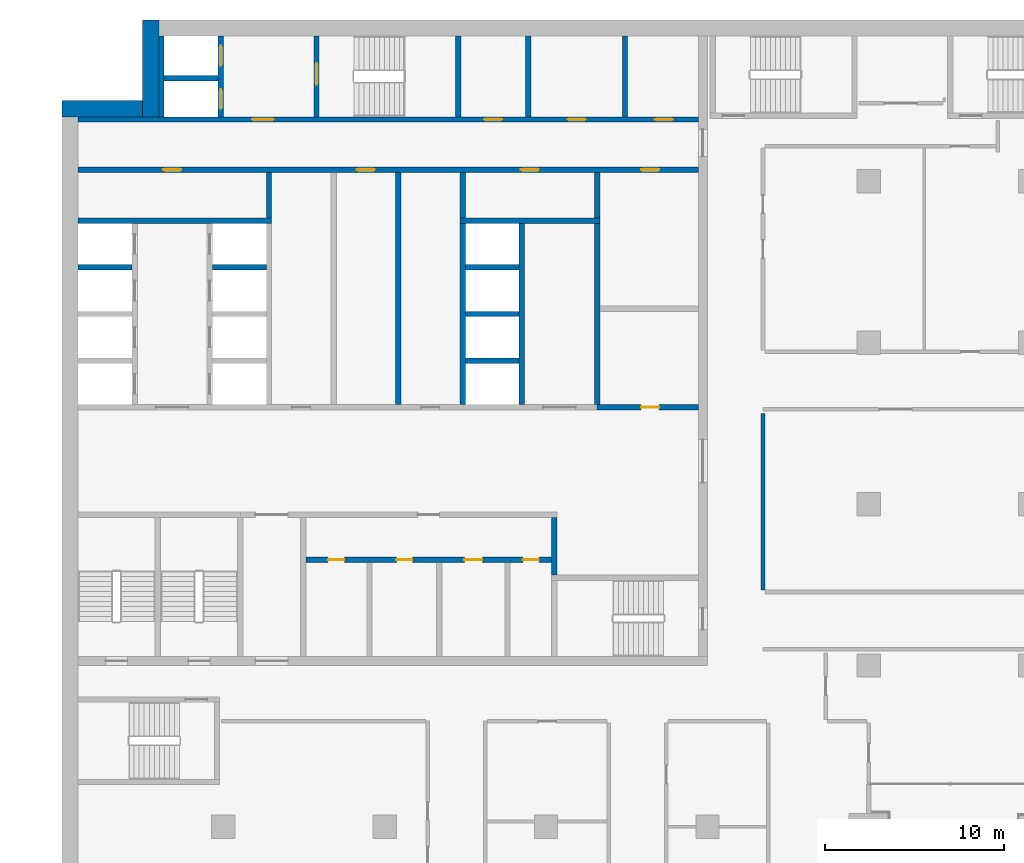
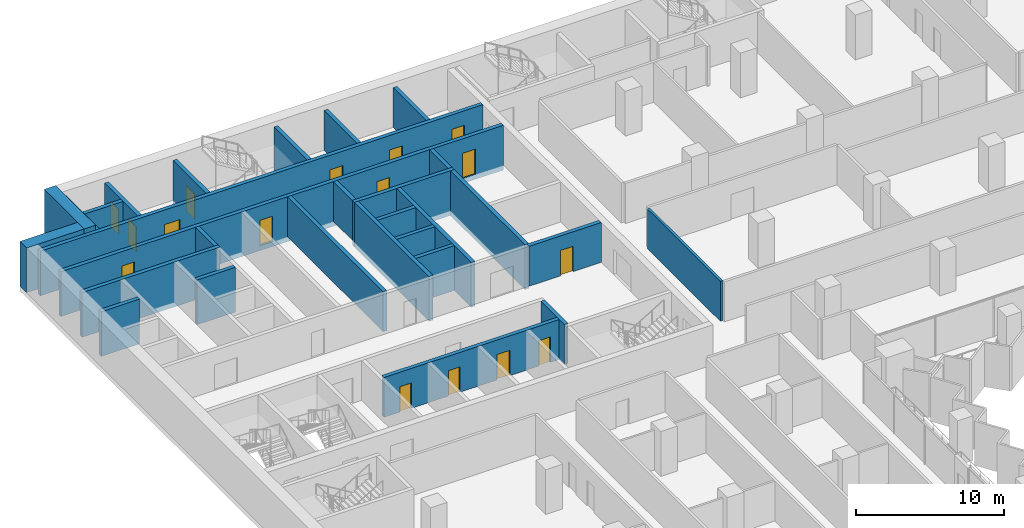
# One storey, part 13 of 23: 29 walls, 16 doors, 16 openings.
"""IFC4 building model written with IfcOpenShell, lengths in metres."""

from ifc_helpers import new_model, si_unit, direction, frame, frame_2d, origin, place, context, subcontext, project, spatial, rectangle, extrude, material, layer, layer_set, type_object, element, fill, save


model = new_model("IFC4")

# Units and contexts
model_context = context("Model", 3, precision=1e-05, world=origin(), true_north=direction((0.0, 1.0)))
body_context = subcontext(model_context, "Body", "Model", "MODEL_VIEW")
ifc_project = project(units=[si_unit("LENGTHUNIT", "METRE"), si_unit("AREAUNIT", "SQUARE_METRE"), si_unit("VOLUMEUNIT", "CUBIC_METRE"), si_unit("PLANEANGLEUNIT", "RADIAN"), si_unit("MASSUNIT", "GRAM", prefix="KILO")], contexts=[model_context])

# Site, building, storey
site_placement = place(None, origin())
site = spatial("IfcSite", under=ifc_project, at=site_placement, CompositionType="ELEMENT")
building_placement = place(site_placement, origin())
building = spatial("IfcBuilding", under=site, at=building_placement, Name="Hunhe Ridgeline Campus", CompositionType="ELEMENT")
storey_placement = place(building_placement, frame((0.0, 0.0, 121.800048828125)))
storey = spatial("IfcBuildingStorey", under=building, at=storey_placement, Name="L30", CompositionType="ELEMENT", Elevation=121.800048828125)

# Wall, openings, doors
ifc_material_1 = material(Name="Masonry concrete blockwork", Category="masonry")
ifc_layer_1 = layer(ifc_material_1, 0.300048828125)
ifc_layer_set_1 = layer_set([ifc_layer_1], Name="Core room partition 300 concrete block")
wall_type_1 = type_object("IfcWallType", Name="Core room partition 300 concrete block", PredefinedType="PARTITIONING", material=ifc_layer_set_1)
wall_1_placement = place(storey_placement, frame((13.60009765625, 68.89990234375, 0.0), z_axis=(0.0, 0.0, 1.0), x_axis=(1.0, 0.0, 0.0)))
wall_1 = element("IfcWall", 1, at=wall_1_placement, inside=storey, type_object=wall_type_1, Name="L30 core partition 9", PredefinedType="PARTITIONING", context=body_context, shape_type="SweptSolid", body=[
    extrude(rectangle(XDim=13.699951171875, YDim=0.300048828125, at=frame_2d((6.85009765625, 0.0))), origin(), (0.0, 0.0, 1.0), 3.300048828125),
])
opening_1_placement = place(wall_1_placement, frame((1.25, 0.0, 0.0)))
opening_1 = element("IfcOpeningElement", 2, at=opening_1_placement, cuts=wall_1, Name="Opening CD8", PredefinedType="OPENING", context=body_context, shape_type="SweptSolid", body=[
    extrude(rectangle(XDim=0.89990234375, YDim=2.10009765625, at=frame_2d((0.449951171875, 1.050048828125))), frame((0.0, 0.14990234375, 0.0), z_axis=(0.0, -1.0, 0.0), x_axis=(1.0, 0.0, 0.0)), (0.0, 0.0, 1.0), 0.300048828125),
])
opening_2_placement = place(wall_1_placement, frame((5.050048828125, 0.0, 0.0)))
opening_2 = element("IfcOpeningElement", 3, at=opening_2_placement, cuts=wall_1, Name="Opening CD9", PredefinedType="OPENING", context=body_context, shape_type="SweptSolid", body=[
    extrude(rectangle(XDim=0.89990234375, YDim=2.10009765625, at=frame_2d((0.449951171875, 1.050048828125))), frame((0.0, 0.14990234375, 0.0), z_axis=(0.0, -1.0, 0.0), x_axis=(1.0, 0.0, 0.0)), (0.0, 0.0, 1.0), 0.300048828125),
])
opening_3_placement = place(wall_1_placement, frame((8.85009765625, 0.0, 0.0)))
opening_3 = element("IfcOpeningElement", 4, at=opening_3_placement, cuts=wall_1, Name="Opening CD10", PredefinedType="OPENING", context=body_context, shape_type="SweptSolid", body=[
    extrude(rectangle(XDim=1.0, YDim=2.10009765625, at=frame_2d((0.5, 1.050048828125))), frame((0.0, 0.14990234375, 0.0), z_axis=(0.0, -1.0, 0.0), x_axis=(1.0, 0.0, 0.0)), (0.0, 0.0, 1.0), 0.300048828125),
])
opening_4_placement = place(wall_1_placement, frame((12.10009765625, 0.0, 0.0)))
opening_4 = element("IfcOpeningElement", 5, at=opening_4_placement, cuts=wall_1, Name="Opening CD11", PredefinedType="OPENING", context=body_context, shape_type="SweptSolid", body=[
    extrude(rectangle(XDim=0.89990234375, YDim=2.10009765625, at=frame_2d((0.449951171875, 1.050048828125))), frame((0.0, 0.14990234375, 0.0), z_axis=(0.0, -1.0, 0.0), x_axis=(1.0, 0.0, 0.0)), (0.0, 0.0, 1.0), 0.300048828125),
])
ifc_material_2 = material(Name="Solid core timber door leaf", Category="wood")
door_type_1 = type_object("IfcDoorType", Name="Timber door 1000x2100", OperationType="SINGLE_SWING_LEFT", PredefinedType="DOOR", material=ifc_material_2)
door_1_placement = place(opening_3_placement, frame((1.0, 0.0, 0.0), z_axis=(0.0, 0.0, 1.0), x_axis=(-1.0, 0.0, 0.0)))
door_1 = element("IfcDoor", 6, at=door_1_placement, inside=storey, type_object=door_type_1, Name="L30 door WC3", OperationType="SINGLE_SWING_RIGHT", OverallHeight=2.10009765625, OverallWidth=1.0, PredefinedType="DOOR", context=body_context, shape_type="SweptSolid", body=[
    extrude(rectangle(XDim=1.0, YDim=2.10009765625, at=frame_2d((0.5, 1.050048828125))), frame((0.0, 0.02490234375, 0.0), z_axis=(0.0, -1.0, 0.0), x_axis=(1.0, 0.0, 0.0)), (0.0, 0.0, 1.0), 0.050048828125),
])
fill(opening_3, door_1)
door_type_2 = type_object("IfcDoorType", Name="Timber door 900x2100", OperationType="SINGLE_SWING_LEFT", PredefinedType="DOOR", material=ifc_material_2)
door_2_placement = place(opening_1_placement, frame((0.89990234375, 0.0, 0.0), z_axis=(0.0, 0.0, 1.0), x_axis=(-1.0, 0.0, 0.0)))
door_2 = element("IfcDoor", 7, at=door_2_placement, inside=storey, type_object=door_type_2, Name="L30 door WC1", OperationType="SINGLE_SWING_RIGHT", OverallHeight=2.10009765625, OverallWidth=0.89990234375, PredefinedType="DOOR", context=body_context, shape_type="SweptSolid", body=[
    extrude(rectangle(XDim=0.89990234375, YDim=2.10009765625, at=frame_2d((0.449951171875, 1.050048828125))), frame((0.0, 0.02490234375, 0.0), z_axis=(0.0, -1.0, 0.0), x_axis=(1.0, 0.0, 0.0)), (0.0, 0.0, 1.0), 0.050048828125),
])
fill(opening_1, door_2)
door_3_placement = place(opening_2_placement, frame((0.89990234375, 0.0, 0.0), z_axis=(0.0, 0.0, 1.0), x_axis=(-1.0, 0.0, 0.0)))
door_3 = element("IfcDoor", 8, at=door_3_placement, inside=storey, type_object=door_type_2, Name="L30 door WC2", OperationType="SINGLE_SWING_LEFT", OverallHeight=2.10009765625, OverallWidth=0.89990234375, PredefinedType="DOOR", context=body_context, shape_type="SweptSolid", body=[
    extrude(rectangle(XDim=0.89990234375, YDim=2.10009765625, at=frame_2d((0.449951171875, 1.050048828125))), frame((0.0, 0.02490234375, 0.0), z_axis=(0.0, -1.0, 0.0), x_axis=(1.0, 0.0, 0.0)), (0.0, 0.0, 1.0), 0.050048828125),
])
fill(opening_2, door_3)
door_4_placement = place(opening_4_placement, frame((0.89990234375, 0.0, 0.0), z_axis=(0.0, 0.0, 1.0), x_axis=(-1.0, 0.0, 0.0)))
door_4 = element("IfcDoor", 9, at=door_4_placement, inside=storey, type_object=door_type_2, Name="L30 door WC4", OperationType="SINGLE_SWING_LEFT", OverallHeight=2.10009765625, OverallWidth=0.89990234375, PredefinedType="DOOR", context=body_context, shape_type="SweptSolid", body=[
    extrude(rectangle(XDim=0.89990234375, YDim=2.10009765625, at=frame_2d((0.449951171875, 1.050048828125))), frame((0.0, 0.02490234375, 0.0), z_axis=(0.0, -1.0, 0.0), x_axis=(1.0, 0.0, 0.0)), (0.0, 0.0, 1.0), 0.050048828125),
])
fill(opening_4, door_4)

# Wall, opening, door
wall_2_placement = place(storey_placement, frame((29.85009765625, 77.39990234375, 0.0), z_axis=(0.0, 0.0, 1.0), x_axis=(1.0, 0.0, 0.0)))
wall_2 = element("IfcWall", 10, at=wall_2_placement, inside=storey, type_object=wall_type_1, Name="L30 core partition 13", PredefinedType="PARTITIONING", context=body_context, shape_type="SweptSolid", body=[
    extrude(rectangle(XDim=5.64990234375, YDim=0.300048828125, at=frame_2d((2.824951171875, 0.0))), origin(), (0.0, 0.0, 1.0), 3.300048828125),
])
opening_5_placement = place(wall_2_placement, frame((2.449951171875, 0.0, 0.0)))
opening_5 = element("IfcOpeningElement", 11, at=opening_5_placement, cuts=wall_2, Name="Opening CD32", PredefinedType="OPENING", context=body_context, shape_type="SweptSolid", body=[
    extrude(rectangle(XDim=1.0, YDim=2.10009765625, at=frame_2d((0.5, 1.050048828125))), frame((0.0, 0.14990234375, 0.0), z_axis=(0.0, -1.0, 0.0), x_axis=(1.0, 0.0, 0.0)), (0.0, 0.0, 1.0), 0.300048828125),
])
door_5_placement = place(opening_5_placement, origin())
door_5 = element("IfcDoor", 12, at=door_5_placement, inside=storey, type_object=door_type_1, Name="L30 door ES0", OperationType="SINGLE_SWING_LEFT", OverallHeight=2.10009765625, OverallWidth=1.0, PredefinedType="DOOR", context=body_context, shape_type="SweptSolid", body=[
    extrude(rectangle(XDim=1.0, YDim=2.10009765625, at=frame_2d((0.5, 1.050048828125))), frame((0.0, 0.02490234375, 0.0), z_axis=(0.0, -1.0, 0.0), x_axis=(1.0, 0.0, 0.0)), (0.0, 0.0, 1.0), 0.050048828125),
])
fill(opening_5, door_5)

# Walls
wall_3_placement = place(storey_placement, frame((11.550048828125, 87.949951171875, 0.0), z_axis=(0.0, 0.0, 1.0), x_axis=(0.0, 1.0, 0.0)))
element("IfcWall", 13, at=wall_3_placement, inside=storey, type_object=wall_type_1, Name="L30 core partition 41", PredefinedType="PARTITIONING", context=body_context, shape_type="SweptSolid", body=[
    extrude(rectangle(XDim=2.550048828125, YDim=0.300048828125, at=frame_2d((1.27490234375, 0.0))), origin(), (0.0, 0.0, 1.0), 3.300048828125),
])
wall_4_placement = place(storey_placement, frame((18.75, 77.550048828125, 0.0), z_axis=(0.0, 0.0, 1.0), x_axis=(0.0, 1.0, 0.0)))
element("IfcWall", 14, at=wall_4_placement, inside=storey, type_object=wall_type_1, Name="L30 core partition 46", PredefinedType="PARTITIONING", context=body_context, shape_type="SweptSolid", body=[
    extrude(rectangle(XDim=12.949951171875, YDim=0.300048828125, at=frame_2d((6.47509765625, 0.0))), origin(), (0.0, 0.0, 1.0), 3.300048828125),
])
wall_5_placement = place(storey_placement, frame((22.35009765625, 87.949951171875, 0.0), z_axis=(0.0, 0.0, 1.0), x_axis=(0.0, 1.0, 0.0)))
element("IfcWall", 15, at=wall_5_placement, inside=storey, type_object=wall_type_1, Name="L30 core partition 51", PredefinedType="PARTITIONING", context=body_context, shape_type="SweptSolid", body=[
    extrude(rectangle(XDim=2.550048828125, YDim=0.300048828125, at=frame_2d((1.27490234375, 0.0))), origin(), (0.0, 0.0, 1.0), 3.300048828125),
])
wall_6_placement = place(storey_placement, frame((26.0, 93.60009765625, 0.0), z_axis=(0.0, 0.0, 1.0), x_axis=(0.0, 1.0, 0.0)))
element("IfcWall", 16, at=wall_6_placement, inside=storey, type_object=wall_type_1, Name="L30 core partition 55", PredefinedType="PARTITIONING", context=body_context, shape_type="SweptSolid", body=[
    extrude(rectangle(XDim=4.5, YDim=0.300048828125, at=frame_2d((2.25, 0.0))), origin(), (0.0, 0.0, 1.0), 3.300048828125),
])
wall_7_placement = place(storey_placement, frame((27.449951171875, 68.050048828125, 0.0), z_axis=(0.0, 0.0, 1.0), x_axis=(0.0, 1.0, 0.0)))
element("IfcWall", 17, at=wall_7_placement, inside=storey, type_object=wall_type_1, Name="L30 core partition 57", PredefinedType="PARTITIONING", context=body_context, shape_type="SweptSolid", body=[
    extrude(rectangle(XDim=3.199951171875, YDim=0.300048828125, at=frame_2d((1.60009765625, 0.0))), origin(), (0.0, 0.0, 1.0), 3.300048828125),
])
wall_8_placement = place(storey_placement, frame((29.85009765625, 87.949951171875, 0.0), z_axis=(0.0, 0.0, 1.0), x_axis=(0.0, 1.0, 0.0)))
element("IfcWall", 18, at=wall_8_placement, inside=storey, type_object=wall_type_1, Name="L30 core partition 59", PredefinedType="PARTITIONING", context=body_context, shape_type="SweptSolid", body=[
    extrude(rectangle(XDim=2.550048828125, YDim=0.300048828125, at=frame_2d((1.27490234375, 0.0))), origin(), (0.0, 0.0, 1.0), 3.300048828125),
])
wall_9_placement = place(storey_placement, frame((31.39990234375, 93.60009765625, 0.0), z_axis=(0.0, 0.0, 1.0), x_axis=(0.0, 1.0, 0.0)))
element("IfcWall", 19, at=wall_9_placement, inside=storey, type_object=wall_type_1, Name="L30 core partition 60", PredefinedType="PARTITIONING", context=body_context, shape_type="SweptSolid", body=[
    extrude(rectangle(XDim=4.5, YDim=0.300048828125, at=frame_2d((2.25, 0.0))), origin(), (0.0, 0.0, 1.0), 3.300048828125),
])
ifc_material_3 = material(Name="Gypsum board partition")
ifc_layer_2 = layer(ifc_material_3, 0.199951171875)
ifc_layer_set_2 = layer_set([ifc_layer_2], Name="Corridor partition 200 gypsum board on steel studs")
wall_type_2 = type_object("IfcWallType", Name="Corridor partition 200 gypsum board on steel studs", PredefinedType="PARTITIONING", material=ifc_layer_set_2)
wall_10_placement = place(storey_placement, frame((39.10009765625, 77.063232421875, 0.0), z_axis=(0.0, 0.0, 1.0), x_axis=(0.0, -1.0, 0.0)))
element("IfcWall", 20, at=wall_10_placement, inside=storey, type_object=wall_type_2, Name="F-L30-wall-064", PredefinedType="PARTITIONING", context=body_context, shape_type="SweptSolid", body=[
    extrude(rectangle(XDim=9.86328125, YDim=0.199951171875, at=frame_2d((4.931640625, 0.0))), origin(), (0.0, 0.0, 1.0), 3.300048828125),
])

# Wall, openings, doors
ifc_material_4 = material(Name="Concrete C80", Category="concrete")
ifc_layer_3 = layer(ifc_material_4, 0.300048828125)
ifc_layer_set_3 = layer_set([ifc_layer_3], Name="Lobby wall 300 reinforced concrete C80")
wall_type_3 = type_object("IfcWallType", Name="Lobby wall 300 reinforced concrete C80", PredefinedType="SOLIDWALL", material=ifc_layer_set_3)
wall_11_placement = place(storey_placement, frame((0.89990234375, 90.64990234375, -0.400146484375), z_axis=(0.0, 0.0, 1.0), x_axis=(1.0, 0.0, 0.0)))
wall_11 = element("IfcWall", 21, at=wall_11_placement, inside=storey, type_object=wall_type_3, Name="L30 core wall 26", PredefinedType="SOLIDWALL", context=body_context, shape_type="SweptSolid", body=[
    extrude(rectangle(XDim=34.60009765625, YDim=0.300048828125, at=frame_2d((17.300048828125, 0.0))), origin(), (0.0, 0.0, 1.0), 3.7001953125),
])
opening_6_placement = place(wall_11_placement, frame((4.75, 0.0, 0.39990234375)))
opening_6 = element("IfcOpeningElement", 22, at=opening_6_placement, cuts=wall_11, Name="Opening CD26", PredefinedType="OPENING", context=body_context, shape_type="SweptSolid", body=[
    extrude(rectangle(XDim=1.0, YDim=2.10009765625, at=frame_2d((0.5, 1.050048828125))), frame((0.0, 0.14990234375, 0.0), z_axis=(0.0, -1.0, 0.0), x_axis=(1.0, 0.0, 0.0)), (0.0, 0.0, 1.0), 0.300048828125),
])
opening_7_placement = place(wall_11_placement, frame((24.699951171875, 0.0, 0.39990234375)))
opening_7 = element("IfcOpeningElement", 23, at=opening_7_placement, cuts=wall_11, Name="Opening CD27", PredefinedType="OPENING", context=body_context, shape_type="SweptSolid", body=[
    extrude(rectangle(XDim=1.0, YDim=2.10009765625, at=frame_2d((0.5, 1.050048828125))), frame((0.0, 0.14990234375, 0.0), z_axis=(0.0, -1.0, 0.0), x_axis=(1.0, 0.0, 0.0)), (0.0, 0.0, 1.0), 0.300048828125),
])
opening_8_placement = place(wall_11_placement, frame((15.550048828125, 0.0, 0.39990234375)))
opening_8 = element("IfcOpeningElement", 24, at=opening_8_placement, cuts=wall_11, Name="Opening CD29", PredefinedType="OPENING", context=body_context, shape_type="SweptSolid", body=[
    extrude(rectangle(XDim=1.0, YDim=2.10009765625, at=frame_2d((0.5, 1.050048828125))), frame((0.0, 0.14990234375, 0.0), z_axis=(0.0, -1.0, 0.0), x_axis=(1.0, 0.0, 0.0)), (0.0, 0.0, 1.0), 0.300048828125),
])
opening_9_placement = place(wall_11_placement, frame((31.39990234375, 0.0, 0.39990234375)))
opening_9 = element("IfcOpeningElement", 25, at=opening_9_placement, cuts=wall_11, Name="Opening CD33", PredefinedType="OPENING", context=body_context, shape_type="SweptSolid", body=[
    extrude(rectangle(XDim=1.0, YDim=2.10009765625, at=frame_2d((0.5, 1.050048828125))), frame((0.0, 0.14990234375, 0.0), z_axis=(0.0, -1.0, 0.0), x_axis=(1.0, 0.0, 0.0)), (0.0, 0.0, 1.0), 0.300048828125),
])
door_6_placement = place(opening_6_placement, frame((1.0, 0.0, 0.0), z_axis=(0.0, 0.0, 1.0), x_axis=(-1.0, 0.0, 0.0)))
door_6 = element("IfcDoor", 26, at=door_6_placement, inside=storey, type_object=door_type_1, Name="L30 door NR-0", OperationType="SINGLE_SWING_RIGHT", OverallHeight=2.10009765625, OverallWidth=1.0, PredefinedType="DOOR", context=body_context, shape_type="SweptSolid", body=[
    extrude(rectangle(XDim=1.0, YDim=2.10009765625, at=frame_2d((0.5, 1.050048828125))), frame((0.0, 0.02490234375, 0.0), z_axis=(0.0, -1.0, 0.0), x_axis=(1.0, 0.0, 0.0)), (0.0, 0.0, 1.0), 0.050048828125),
])
fill(opening_6, door_6)
door_7_placement = place(opening_7_placement, frame((1.0, 0.0, 0.0), z_axis=(0.0, 0.0, 1.0), x_axis=(-1.0, 0.0, 0.0)))
door_7 = element("IfcDoor", 27, at=door_7_placement, inside=storey, type_object=door_type_1, Name="L30 door NR-1", OperationType="SINGLE_SWING_LEFT", OverallHeight=2.10009765625, OverallWidth=1.0, PredefinedType="DOOR", context=body_context, shape_type="SweptSolid", body=[
    extrude(rectangle(XDim=1.0, YDim=2.10009765625, at=frame_2d((0.5, 1.050048828125))), frame((0.0, 0.02490234375, 0.0), z_axis=(0.0, -1.0, 0.0), x_axis=(1.0, 0.0, 0.0)), (0.0, 0.0, 1.0), 0.050048828125),
])
fill(opening_7, door_7)
door_8_placement = place(opening_8_placement, frame((1.0, 0.0, 0.0), z_axis=(0.0, 0.0, 1.0), x_axis=(-1.0, 0.0, 0.0)))
door_8 = element("IfcDoor", 28, at=door_8_placement, inside=storey, type_object=door_type_1, Name="L30 door VD-HR1", OperationType="SINGLE_SWING_LEFT", OverallHeight=2.10009765625, OverallWidth=1.0, PredefinedType="DOOR", context=body_context, shape_type="SweptSolid", body=[
    extrude(rectangle(XDim=1.0, YDim=2.10009765625, at=frame_2d((0.5, 1.050048828125))), frame((0.0, 0.02490234375, 0.0), z_axis=(0.0, -1.0, 0.0), x_axis=(1.0, 0.0, 0.0)), (0.0, 0.0, 1.0), 0.050048828125),
])
fill(opening_8, door_8)
door_9_placement = place(opening_9_placement, frame((1.0, 0.0, 0.0), z_axis=(0.0, 0.0, 1.0), x_axis=(-1.0, 0.0, 0.0)))
door_9 = element("IfcDoor", 29, at=door_9_placement, inside=storey, type_object=door_type_1, Name="L30 door ES1", OperationType="SINGLE_SWING_LEFT", OverallHeight=2.10009765625, OverallWidth=1.0, PredefinedType="DOOR", context=body_context, shape_type="SweptSolid", body=[
    extrude(rectangle(XDim=1.0, YDim=2.10009765625, at=frame_2d((0.5, 1.050048828125))), frame((0.0, 0.02490234375, 0.0), z_axis=(0.0, -1.0, 0.0), x_axis=(1.0, 0.0, 0.0)), (0.0, 0.0, 1.0), 0.050048828125),
])
fill(opening_9, door_9)

# Walls
wall_12_placement = place(storey_placement, frame((29.85009765625, 77.550048828125, -0.400146484375), z_axis=(0.0, 0.0, 1.0), x_axis=(0.0, 1.0, 0.0)))
element("IfcWall", 30, at=wall_12_placement, inside=storey, type_object=wall_type_3, Name="L30 core wall 58", PredefinedType="SOLIDWALL", context=body_context, shape_type="SweptSolid", body=[
    extrude(rectangle(XDim=10.099853515625, YDim=0.300048828125, at=frame_2d((5.0498046875, 0.0))), origin(), (0.0, 0.0, 1.0), 3.7001953125),
])
ifc_layer_4 = layer(ifc_material_4, 0.300048828125)
ifc_layer_set_4 = layer_set([ifc_layer_4], Name="Shaft wall 300 reinforced concrete C80")
wall_type_4 = type_object("IfcWallType", Name="Shaft wall 300 reinforced concrete C80", PredefinedType="SOLIDWALL", material=ifc_layer_set_4)
for number, where, z_axis, x_axis, name in (
    (31, (22.5, 80.0, -0.400146484375), (0.0, 0.0, 1.0), (1.0, 0.0, 0.0), "L30 core wall 16"),
    (32, (22.5, 82.60009765625, -0.400146484375), (0.0, 0.0, 1.0), (1.0, 0.0, 0.0), "L30 core wall 19"),
    (33, (0.89990234375, 85.199951171875, -0.400146484375), (0.0, 0.0, 1.0), (1.0, 0.0, 0.0), "L30 core wall 21"),
    (34, (8.39990234375, 85.199951171875, -0.400146484375), (0.0, 0.0, 1.0), (1.0, 0.0, 0.0), "L30 core wall 22"),
    (35, (22.5, 85.199951171875, -0.400146484375), (0.0, 0.0, 1.0), (1.0, 0.0, 0.0), "L30 core wall 23"),
):
    element("IfcWall", number, at=place(storey_placement, frame(where, z_axis=z_axis, x_axis=x_axis)), inside=storey, type_object=wall_type_4, Name=name, PredefinedType="SOLIDWALL", context=body_context, shape_type="SweptSolid", body=[
        extrude(rectangle(XDim=3.0, YDim=0.300048828125, at=frame_2d((1.5, 0.0))), origin(), (0.0, 0.0, 1.0), 3.7001953125),
    ])
wall_13_placement = place(storey_placement, frame((0.89990234375, 87.800048828125, -0.400146484375), z_axis=(0.0, 0.0, 1.0), x_axis=(1.0, 0.0, 0.0)))
element("IfcWall", 36, at=wall_13_placement, inside=storey, type_object=wall_type_4, Name="L30 core wall 24", PredefinedType="SOLIDWALL", context=body_context, shape_type="SweptSolid", body=[
    extrude(rectangle(XDim=10.800048828125, YDim=0.300048828125, at=frame_2d((5.39990234375, 0.0))), origin(), (0.0, 0.0, 1.0), 3.7001953125),
])
wall_14_placement = place(storey_placement, frame((22.199951171875, 87.800048828125, -0.400146484375), z_axis=(0.0, 0.0, 1.0), x_axis=(1.0, 0.0, 0.0)))
element("IfcWall", 37, at=wall_14_placement, inside=storey, type_object=wall_type_4, Name="L30 core wall 25", PredefinedType="SOLIDWALL", context=body_context, shape_type="SweptSolid", body=[
    extrude(rectangle(XDim=7.800048828125, YDim=0.300048828125, at=frame_2d((3.89990234375, 0.0))), origin(), (0.0, 0.0, 1.0), 3.7001953125),
])

# Wall, openings, doors
wall_15_placement = place(storey_placement, frame((0.89990234375, 93.449951171875, -0.400146484375), z_axis=(0.0, 0.0, 1.0), x_axis=(1.0, 0.0, 0.0)))
wall_15 = element("IfcWall", 38, at=wall_15_placement, inside=storey, type_object=wall_type_4, Name="L30 core wall 27", PredefinedType="SOLIDWALL", context=body_context, shape_type="SweptSolid", body=[
    extrude(rectangle(XDim=34.60009765625, YDim=0.300048828125, at=frame_2d((17.300048828125, 0.0))), origin(), (0.0, 0.0, 1.0), 3.7001953125),
])
opening_10_placement = place(wall_15_placement, frame((9.699951171875, 0.0, 0.39990234375)))
opening_10 = element("IfcOpeningElement", 39, at=opening_10_placement, cuts=wall_15, Name="Opening CD3", PredefinedType="OPENING", context=body_context, shape_type="SweptSolid", body=[
    extrude(rectangle(XDim=1.199951171875, YDim=2.10009765625, at=frame_2d((0.60009765625, 1.050048828125))), frame((0.0, 0.14990234375, 0.0), z_axis=(0.0, -1.0, 0.0), x_axis=(1.0, 0.0, 0.0)), (0.0, 0.0, 1.0), 0.300048828125),
])
opening_11_placement = place(wall_15_placement, frame((22.64990234375, 0.0, 0.39990234375)))
opening_11 = element("IfcOpeningElement", 40, at=opening_11_placement, cuts=wall_15, Name="Opening CD34", PredefinedType="OPENING", context=body_context, shape_type="SweptSolid", body=[
    extrude(rectangle(XDim=1.0, YDim=2.10009765625, at=frame_2d((0.5, 1.050048828125))), frame((0.0, 0.14990234375, 0.0), z_axis=(0.0, -1.0, 0.0), x_axis=(1.0, 0.0, 0.0)), (0.0, 0.0, 1.0), 0.300048828125),
])
opening_12_placement = place(wall_15_placement, frame((27.300048828125, 0.0, 0.39990234375)))
opening_12 = element("IfcOpeningElement", 41, at=opening_12_placement, cuts=wall_15, Name="Opening CD35", PredefinedType="OPENING", context=body_context, shape_type="SweptSolid", body=[
    extrude(rectangle(XDim=1.0, YDim=2.10009765625, at=frame_2d((0.5, 1.050048828125))), frame((0.0, 0.14990234375, 0.0), z_axis=(0.0, -1.0, 0.0), x_axis=(1.0, 0.0, 0.0)), (0.0, 0.0, 1.0), 0.300048828125),
])
opening_13_placement = place(wall_15_placement, frame((32.175048828125, 0.0, 0.39990234375)))
opening_13 = element("IfcOpeningElement", 42, at=opening_13_placement, cuts=wall_15, Name="Opening CD36", PredefinedType="OPENING", context=body_context, shape_type="SweptSolid", body=[
    extrude(rectangle(XDim=1.0, YDim=2.10009765625, at=frame_2d((0.5, 1.050048828125))), frame((0.0, 0.14990234375, 0.0), z_axis=(0.0, -1.0, 0.0), x_axis=(1.0, 0.0, 0.0)), (0.0, 0.0, 1.0), 0.300048828125),
])
ifc_material_5 = material(Name="Hollow metal fire door leaf")
door_type_3 = type_object("IfcDoorType", Name="Lobby door 1200x2100 FD60", OperationType="SINGLE_SWING_LEFT", PredefinedType="DOOR", material=ifc_material_5)
door_10_placement = place(opening_10_placement, frame((1.199951171875, 0.0, 0.0), z_axis=(0.0, 0.0, 1.0), x_axis=(-1.0, 0.0, 0.0)))
door_10 = element("IfcDoor", 43, at=door_10_placement, inside=storey, type_object=door_type_3, Name="L30 door FF-C1", OperationType="SINGLE_SWING_LEFT", OverallHeight=2.10009765625, OverallWidth=1.199951171875, PredefinedType="DOOR", context=body_context, shape_type="SweptSolid", body=[
    extrude(rectangle(XDim=1.199951171875, YDim=2.10009765625, at=frame_2d((0.60009765625, 1.050048828125))), frame((0.0, 0.02490234375, 0.0), z_axis=(0.0, -1.0, 0.0), x_axis=(1.0, 0.0, 0.0)), (0.0, 0.0, 1.0), 0.050048828125),
])
fill(opening_10, door_10)
door_11_placement = place(opening_11_placement, origin())
door_11 = element("IfcDoor", 44, at=door_11_placement, inside=storey, type_object=door_type_1, Name="L30 door NB0", OperationType="SINGLE_SWING_LEFT", OverallHeight=2.10009765625, OverallWidth=1.0, PredefinedType="DOOR", context=body_context, shape_type="SweptSolid", body=[
    extrude(rectangle(XDim=1.0, YDim=2.10009765625, at=frame_2d((0.5, 1.050048828125))), frame((0.0, 0.02490234375, 0.0), z_axis=(0.0, -1.0, 0.0), x_axis=(1.0, 0.0, 0.0)), (0.0, 0.0, 1.0), 0.050048828125),
])
fill(opening_11, door_11)
door_12_placement = place(opening_12_placement, origin())
door_12 = element("IfcDoor", 45, at=door_12_placement, inside=storey, type_object=door_type_1, Name="L30 door NB1", OperationType="SINGLE_SWING_RIGHT", OverallHeight=2.10009765625, OverallWidth=1.0, PredefinedType="DOOR", context=body_context, shape_type="SweptSolid", body=[
    extrude(rectangle(XDim=1.0, YDim=2.10009765625, at=frame_2d((0.5, 1.050048828125))), frame((0.0, 0.02490234375, 0.0), z_axis=(0.0, -1.0, 0.0), x_axis=(1.0, 0.0, 0.0)), (0.0, 0.0, 1.0), 0.050048828125),
])
fill(opening_12, door_12)
door_13_placement = place(opening_13_placement, origin())
door_13 = element("IfcDoor", 46, at=door_13_placement, inside=storey, type_object=door_type_1, Name="L30 door NB2", OperationType="SINGLE_SWING_LEFT", OverallHeight=2.10009765625, OverallWidth=1.0, PredefinedType="DOOR", context=body_context, shape_type="SweptSolid", body=[
    extrude(rectangle(XDim=1.0, YDim=2.10009765625, at=frame_2d((0.5, 1.050048828125))), frame((0.0, 0.02490234375, 0.0), z_axis=(0.0, -1.0, 0.0), x_axis=(1.0, 0.0, 0.0)), (0.0, 0.0, 1.0), 0.050048828125),
])
fill(opening_13, door_13)

# Walls
wall_16_placement = place(storey_placement, frame((5.699951171875, 95.75, -0.400146484375), z_axis=(0.0, 0.0, 1.0), x_axis=(1.0, 0.0, 0.0)))
element("IfcWall", 47, at=wall_16_placement, inside=storey, type_object=wall_type_4, Name="L30 core wall 31", PredefinedType="SOLIDWALL", context=body_context, shape_type="SweptSolid", body=[
    extrude(rectangle(XDim=3.0, YDim=0.300048828125, at=frame_2d((1.5, 0.0))), origin(), (0.0, 0.0, 1.0), 3.7001953125),
])
wall_17_placement = place(storey_placement, frame((5.550048828125, 93.60009765625, -0.400146484375), z_axis=(0.0, 0.0, 1.0), x_axis=(0.0, 1.0, 0.0)))
element("IfcWall", 48, at=wall_17_placement, inside=storey, type_object=wall_type_4, Name="L30 core wall 34", PredefinedType="SOLIDWALL", context=body_context, shape_type="SweptSolid", body=[
    extrude(rectangle(XDim=4.5, YDim=0.300048828125, at=frame_2d((2.25, 0.0))), origin(), (0.0, 0.0, 1.0), 3.7001953125),
])

# Wall, openings, doors
wall_18_placement = place(storey_placement, frame((8.85009765625, 93.60009765625, -0.400146484375), z_axis=(0.0, 0.0, 1.0), x_axis=(0.0, 1.0, 0.0)))
wall_18 = element("IfcWall", 49, at=wall_18_placement, inside=storey, type_object=wall_type_4, Name="L30 core wall 38", PredefinedType="SOLIDWALL", context=body_context, shape_type="SweptSolid", body=[
    extrude(rectangle(XDim=4.5, YDim=0.300048828125, at=frame_2d((2.25, 0.0))), origin(), (0.0, 0.0, 1.0), 3.7001953125),
])
opening_14_placement = place(wall_18_placement, frame((0.449951171875, 0.0, 0.39990234375)))
opening_14 = element("IfcOpeningElement", 50, at=opening_14_placement, cuts=wall_18, Name="Opening LD-FF1", PredefinedType="OPENING", context=body_context, shape_type="SweptSolid", body=[
    extrude(rectangle(XDim=1.10009765625, YDim=2.10009765625, at=frame_2d((0.550048828125, 1.050048828125))), frame((0.0, 0.14990234375, 0.0), z_axis=(0.0, -1.0, 0.0), x_axis=(1.0, 0.0, 0.0)), (0.0, 0.0, 1.0), 0.300048828125),
])
opening_15_placement = place(wall_18_placement, frame((2.85009765625, 0.0, 0.39990234375)))
opening_15 = element("IfcOpeningElement", 51, at=opening_15_placement, cuts=wall_18, Name="Opening LD-FF2", PredefinedType="OPENING", context=body_context, shape_type="SweptSolid", body=[
    extrude(rectangle(XDim=1.10009765625, YDim=2.10009765625, at=frame_2d((0.550048828125, 1.050048828125))), frame((0.0, 0.14990234375, 0.0), z_axis=(0.0, -1.0, 0.0), x_axis=(1.0, 0.0, 0.0)), (0.0, 0.0, 1.0), 0.300048828125),
])
ifc_material_6 = material(Name="Stainless steel sliding leaves", Category="steel")
door_type_4 = type_object("IfcDoorType", Name="Landing door 1100x2100 FD120", OperationType="SLIDING_TO_LEFT", PredefinedType="DOOR", material=ifc_material_6)
door_14_placement = place(opening_14_placement, origin())
door_14 = element("IfcDoor", 52, at=door_14_placement, inside=storey, type_object=door_type_4, Name="L30 landing door FF1", OperationType="SLIDING_TO_RIGHT", OverallHeight=2.10009765625, OverallWidth=1.10009765625, PredefinedType="DOOR", context=body_context, shape_type="SweptSolid", body=[
    extrude(rectangle(XDim=1.10009765625, YDim=2.10009765625, at=frame_2d((0.550048828125, 1.050048828125))), frame((0.0, 0.02490234375, 0.0), z_axis=(0.0, -1.0, 0.0), x_axis=(1.0, 0.0, 0.0)), (0.0, 0.0, 1.0), 0.050048828125),
])
fill(opening_14, door_14)
door_15_placement = place(opening_15_placement, origin())
door_15 = element("IfcDoor", 53, at=door_15_placement, inside=storey, type_object=door_type_4, Name="L30 landing door FF2", OperationType="SLIDING_TO_LEFT", OverallHeight=2.10009765625, OverallWidth=1.10009765625, PredefinedType="DOOR", context=body_context, shape_type="SweptSolid", body=[
    extrude(rectangle(XDim=1.10009765625, YDim=2.10009765625, at=frame_2d((0.550048828125, 1.050048828125))), frame((0.0, 0.02490234375, 0.0), z_axis=(0.0, -1.0, 0.0), x_axis=(1.0, 0.0, 0.0)), (0.0, 0.0, 1.0), 0.050048828125),
])
fill(opening_15, door_15)

# Walls
for number, where, z_axis, x_axis, name in (
    (54, (22.35009765625, 77.550048828125, -0.400146484375), (0.0, 0.0, 1.0), (0.0, 1.0, 0.0), "L30 core wall 50"),
    (55, (25.64990234375, 77.550048828125, -0.400146484375), (0.0, 0.0, 1.0), (0.0, 1.0, 0.0), "L30 core wall 54"),
):
    element("IfcWall", number, at=place(storey_placement, frame(where, z_axis=z_axis, x_axis=x_axis)), inside=storey, type_object=wall_type_4, Name=name, PredefinedType="SOLIDWALL", context=body_context, shape_type="SweptSolid", body=[
        extrude(rectangle(XDim=10.099853515625, YDim=0.300048828125, at=frame_2d((5.0498046875, 0.0))), origin(), (0.0, 0.0, 1.0), 3.7001953125),
    ])
ifc_material_7 = material(Name="Concrete C70", Category="concrete")
ifc_layer_5 = layer(ifc_material_7, 0.89990234375)
ifc_layer_set_5 = layer_set([ifc_layer_5], Name="Spine wall 900 Concrete C70")
wall_type_5 = type_object("IfcWallType", Name="Spine wall 900 Concrete C70", PredefinedType="SHEAR", material=ifc_layer_set_5)
for number, where, z_axis, x_axis, name in (
    (56, (4.949951171875, 99.0, 0.0), (0.0, 0.0, 1.0), (0.0, -1.0, 0.0), "Spine wall SW2-5 L30"),
    (57, (5.400146484375, 94.050048828125, 0.0), (0.0, 0.0, 1.0), (-1.0, 0.0, 0.0), "Spine wall SW2-6 L30"),
):
    element("IfcWall", number, at=place(storey_placement, frame(where, z_axis=z_axis, x_axis=x_axis)), inside=storey, type_object=wall_type_5, Name=name, PredefinedType="SHEAR", context=body_context, shape_type="SweptSolid", body=[
        extrude(rectangle(XDim=5.400146484375, YDim=0.89990234375, at=frame_2d((2.7001953125, 0.0))), origin(), (0.0, 0.0, 1.0), 3.699951171875),
    ])

# Wall, opening, door
ifc_layer_6 = layer(ifc_material_4, 0.300048828125)
ifc_layer_set_6 = layer_set([ifc_layer_6], Name="Stair wall 300 reinforced concrete C80")
wall_type_6 = type_object("IfcWallType", Name="Stair wall 300 reinforced concrete C80", PredefinedType="SOLIDWALL", material=ifc_layer_set_6)
wall_19_placement = place(storey_placement, frame((14.199951171875, 93.60009765625, -0.400146484375), z_axis=(0.0, 0.0, 1.0), x_axis=(0.0, 1.0, 0.0)))
wall_19 = element("IfcWall", 58, at=wall_19_placement, inside=storey, type_object=wall_type_6, Name="L30 core wall 43", PredefinedType="SOLIDWALL", context=body_context, shape_type="SweptSolid", body=[
    extrude(rectangle(XDim=4.5, YDim=0.300048828125, at=frame_2d((2.25, 0.0))), origin(), (0.0, 0.0, 1.0), 3.7001953125),
])
opening_16_placement = place(wall_19_placement, frame((1.800048828125, 0.0, 0.39990234375)))
opening_16 = element("IfcOpeningElement", 59, at=opening_16_placement, cuts=wall_19, Name="Opening CD16", PredefinedType="OPENING", context=body_context, shape_type="SweptSolid", body=[
    extrude(rectangle(XDim=1.199951171875, YDim=2.10009765625, at=frame_2d((0.60009765625, 1.050048828125))), frame((0.0, 0.14990234375, 0.0), z_axis=(0.0, -1.0, 0.0), x_axis=(1.0, 0.0, 0.0)), (0.0, 0.0, 1.0), 0.300048828125),
])
door_type_5 = type_object("IfcDoorType", Name="Stair door 1200x2100 FD60", OperationType="SINGLE_SWING_LEFT", PredefinedType="DOOR", material=ifc_material_5)
door_16_placement = place(opening_16_placement, origin())
door_16 = element("IfcDoor", 60, at=door_16_placement, inside=storey, type_object=door_type_5, Name="L30 door S1-FF", OperationType="SINGLE_SWING_LEFT", OverallHeight=2.10009765625, OverallWidth=1.199951171875, PredefinedType="DOOR", context=body_context, shape_type="SweptSolid", body=[
    extrude(rectangle(XDim=1.199951171875, YDim=2.10009765625, at=frame_2d((0.60009765625, 1.050048828125))), frame((0.0, 0.02490234375, 0.0), z_axis=(0.0, -1.0, 0.0), x_axis=(1.0, 0.0, 0.0)), (0.0, 0.0, 1.0), 0.050048828125),
])
fill(opening_16, door_16)

# Wall
wall_20_placement = place(storey_placement, frame((22.10009765625, 93.60009765625, -0.400146484375), z_axis=(0.0, 0.0, 1.0), x_axis=(0.0, 1.0, 0.0)))
element("IfcWall", 61, at=wall_20_placement, inside=storey, type_object=wall_type_6, Name="L30 core wall 49", PredefinedType="SOLIDWALL", context=body_context, shape_type="SweptSolid", body=[
    extrude(rectangle(XDim=4.5, YDim=0.300048828125, at=frame_2d((2.25, 0.0))), origin(), (0.0, 0.0, 1.0), 3.7001953125),
])

save(model, "model.ifc")
